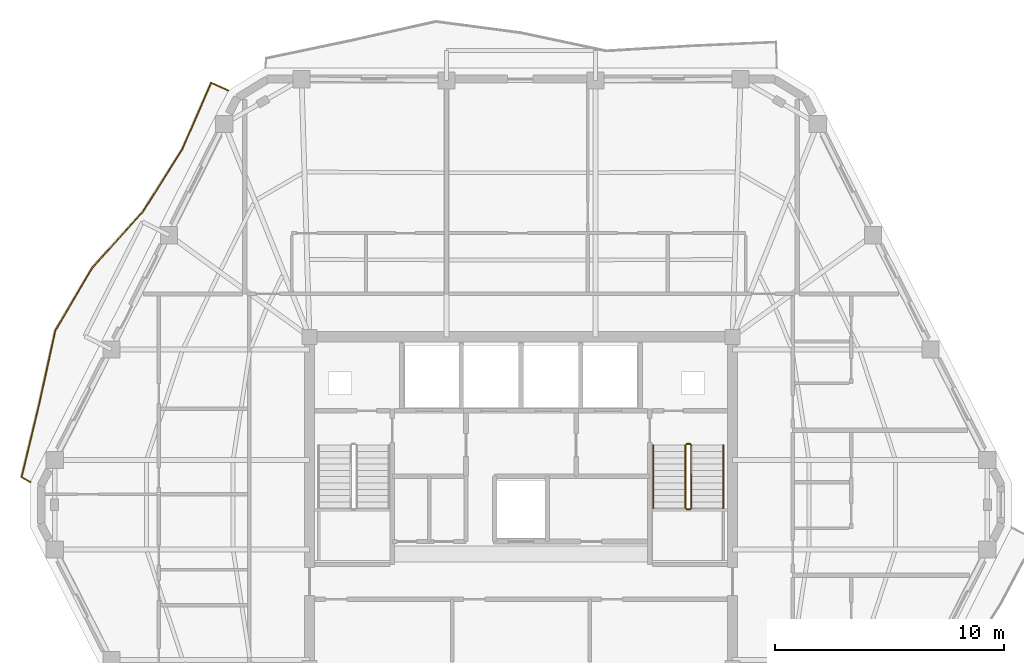
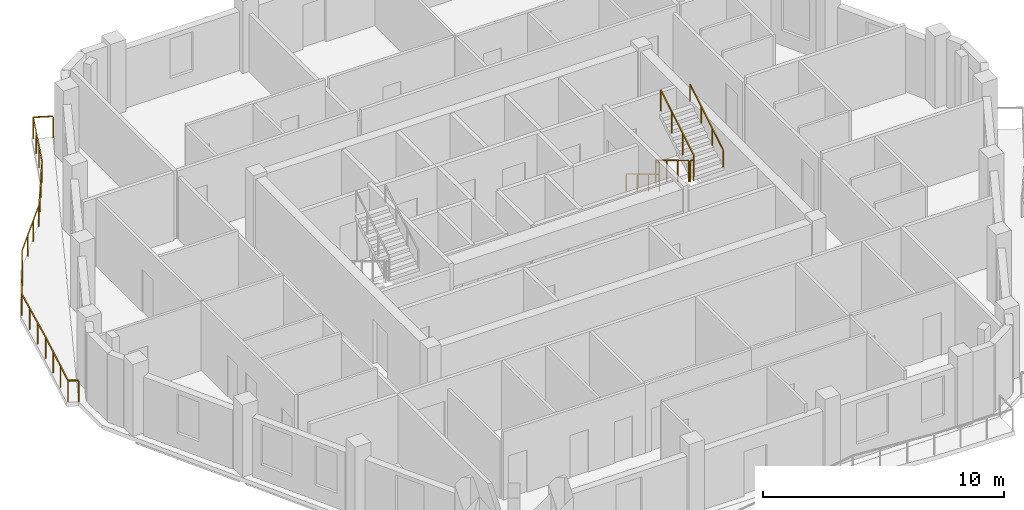
# One storey, part 10 of 11: 7 railings.
"""IFC4 building model written with IfcOpenShell, lengths in metres."""

from ifc_helpers import new_model, si_unit, direction, frame, origin, origin_2d, place, context, subcontext, project, spatial, rectangle, extrude, material, type_object, element, save


model = new_model("IFC4")

# Units and contexts
model_context = context("Model", 3, precision=1e-05, world=origin(), true_north=direction((0.0, 1.0)))
body_context = subcontext(model_context, "Body", "Model", "MODEL_VIEW")
ifc_project = project(units=[si_unit("LENGTHUNIT", "METRE"), si_unit("AREAUNIT", "SQUARE_METRE"), si_unit("VOLUMEUNIT", "CUBIC_METRE"), si_unit("PLANEANGLEUNIT", "RADIAN"), si_unit("MASSUNIT", "GRAM", prefix="KILO")], contexts=[model_context])

# Site, building, storey
site_placement = place(None, origin())
site = spatial("IfcSite", under=ifc_project, at=site_placement, CompositionType="ELEMENT")
building_placement = place(site_placement, origin())
building = spatial("IfcBuilding", under=site, at=building_placement, Name="Cinnabar Lancet Tower", CompositionType="ELEMENT")
storey_placement = place(building_placement, frame((0.0, 0.0, 252.550048828125)))
storey = spatial("IfcBuildingStorey", under=building, at=storey_placement, Name="L67", CompositionType="ELEMENT", Elevation=252.550048828125)

# Railings
ifc_material_1 = material(Name="Laminated safety glass and bronze stainless steel balustrade", Category="steel")
railing_type_1 = type_object("IfcRailingType", Name="ENV-RLG-BAL-1100", PredefinedType="BALUSTRADE", material=ifc_material_1)
railing_1_placement = place(storey_placement, frame((19.638916015625, 43.867919921875, 0.0)))
element("IfcRailing", 1, at=railing_1_placement, inside=storey, type_object=railing_type_1, Name="L67 Face 5 Wave Balcony Balustrade", PredefinedType="BALUSTRADE", context=body_context, shape_type="SweptSolid", body=[
    extrude(rectangle(XDim=0.048095703125, YDim=0.048095703125, at=origin_2d()), frame((0.0, 0.0, 1.076171875), z_axis=(-0.90895271953, 0.416899212831, 0.0), x_axis=(-0.416899212831, -0.90895271953, 0.0)), (0.0, 0.0, 1.0), 0.8251953125),
    extrude(rectangle(XDim=0.048095703125, YDim=0.048095703125, at=origin_2d()), frame((-0.75, 0.343994140625, 1.076171875), z_axis=(-0.398922088554, -0.9169848239, 0.0), x_axis=(0.9169848239, -0.398922088554, 0.0)), (0.0, 0.0, 1.0), 3.1884765625),
    extrude(rectangle(XDim=0.048095703125, YDim=0.048095703125, at=origin_2d()), frame((-2.02197265625, -2.579833984375, 1.076171875), z_axis=(-0.533455406461, -0.845828191371, 0.0), x_axis=(0.845828191371, -0.533455406461, 0.0)), (0.0, 0.0, 1.0), 3.19580078125),
    extrude(rectangle(XDim=0.048095703125, YDim=0.048095703125, at=origin_2d()), frame((-3.726806640625, -5.282958984375, 1.076171875), z_axis=(-0.669917719714, -0.742435349922, 0.0), x_axis=(0.742435349922, -0.669917719714, 0.0)), (0.0, 0.0, 1.0), 3.2958984375),
    extrude(rectangle(XDim=0.048095703125, YDim=0.048095703125, at=origin_2d()), frame((-5.934814453125, -7.72998046875, 1.076171875), z_axis=(-0.507482092898, -0.861662303567, 0.0), x_axis=(0.861662303567, -0.507482092898, 0.0)), (0.0, 0.0, 1.0), 3.186767578125),
    extrude(rectangle(XDim=0.048095703125, YDim=0.048095703125, at=origin_2d()), frame((-7.552001953125, -10.475830078125, 1.076171875), z_axis=(-0.213962838151, -0.976841800851, 0.0), x_axis=(0.976841800851, -0.213962838151, 0.0)), (0.0, 0.0, 1.0), 3.28515625),
    extrude(rectangle(XDim=0.048095703125, YDim=0.048095703125, at=origin_2d()), frame((-8.2548828125, -13.684814453125, 1.076171875), z_axis=(-0.234338790114, -0.972154993531, 0.0), x_axis=(0.972154993531, -0.234338790114, 0.0)), (0.0, 0.0, 1.0), 3.269287109375),
    extrude(rectangle(XDim=0.048095703125, YDim=0.048095703125, at=origin_2d()), frame((-9.02099609375, -16.863037109375, 1.076171875), z_axis=(0.862062615668, -0.506801782424, 0.0), x_axis=(0.506801782424, 0.862062615668, 0.0)), (0.0, 0.0, 1.0), 0.439697265625),
    extrude(rectangle(XDim=0.0419921875, YDim=0.0419921875, at=origin_2d()), origin(), (0.0, 0.0, 1.0), 1.052001953125),
    extrude(rectangle(XDim=0.0419921875, YDim=0.0419921875, at=origin_2d()), frame((-0.75, 0.343994140625, 0.0)), (0.0, 0.0, 1.0), 1.052001953125),
    extrude(rectangle(XDim=0.0419921875, YDim=0.0419921875, at=origin_2d()), frame((-1.174072265625, -0.630615234375, 0.0)), (0.0, 0.0, 1.0), 1.052001953125),
    extrude(rectangle(XDim=0.0419921875, YDim=0.0419921875, at=origin_2d()), frame((-1.597900390625, -1.605224609375, 0.0)), (0.0, 0.0, 1.0), 1.052001953125),
    extrude(rectangle(XDim=0.0419921875, YDim=0.0419921875, at=origin_2d()), frame((-2.02197265625, -2.579833984375, 0.0)), (0.0, 0.0, 1.0), 1.052001953125),
    extrude(rectangle(XDim=0.0419921875, YDim=0.0419921875, at=origin_2d()), frame((-2.59033203125, -3.48095703125, 0.0)), (0.0, 0.0, 1.0), 1.052001953125),
    extrude(rectangle(XDim=0.0419921875, YDim=0.0419921875, at=origin_2d()), frame((-3.158447265625, -4.3818359375, 0.0)), (0.0, 0.0, 1.0), 1.052001953125),
    extrude(rectangle(XDim=0.0419921875, YDim=0.0419921875, at=origin_2d()), frame((-3.726806640625, -5.282958984375, 0.0)), (0.0, 0.0, 1.0), 1.052001953125),
    extrude(rectangle(XDim=0.0419921875, YDim=0.0419921875, at=origin_2d()), frame((-4.462890625, -6.0986328125, 0.0)), (0.0, 0.0, 1.0), 1.052001953125),
    extrude(rectangle(XDim=0.0419921875, YDim=0.0419921875, at=origin_2d()), frame((-5.19873046875, -6.914306640625, 0.0)), (0.0, 0.0, 1.0), 1.052001953125),
    extrude(rectangle(XDim=0.0419921875, YDim=0.0419921875, at=origin_2d()), frame((-5.934814453125, -7.72998046875, 0.0)), (0.0, 0.0, 1.0), 1.052001953125),
    extrude(rectangle(XDim=0.0419921875, YDim=0.0419921875, at=origin_2d()), frame((-6.473876953125, -8.645263671875, 0.0)), (0.0, 0.0, 1.0), 1.052001953125),
    extrude(rectangle(XDim=0.0419921875, YDim=0.0419921875, at=origin_2d()), frame((-7.012939453125, -9.560546875, 0.0)), (0.0, 0.0, 1.0), 1.052001953125),
    extrude(rectangle(XDim=0.0419921875, YDim=0.0419921875, at=origin_2d()), frame((-7.552001953125, -10.475830078125, 0.0)), (0.0, 0.0, 1.0), 1.052001953125),
    extrude(rectangle(XDim=0.0419921875, YDim=0.0419921875, at=origin_2d()), frame((-7.786376953125, -11.54541015625, 0.0)), (0.0, 0.0, 1.0), 1.052001953125),
    extrude(rectangle(XDim=0.0419921875, YDim=0.0419921875, at=origin_2d()), frame((-8.0205078125, -12.615234375, 0.0)), (0.0, 0.0, 1.0), 1.052001953125),
    extrude(rectangle(XDim=0.0419921875, YDim=0.0419921875, at=origin_2d()), frame((-8.2548828125, -13.684814453125, 0.0)), (0.0, 0.0, 1.0), 1.052001953125),
    extrude(rectangle(XDim=0.0419921875, YDim=0.0419921875, at=origin_2d()), frame((-8.51025390625, -14.744140625, 0.0)), (0.0, 0.0, 1.0), 1.052001953125),
    extrude(rectangle(XDim=0.0419921875, YDim=0.0419921875, at=origin_2d()), frame((-8.765625, -15.8037109375, 0.0)), (0.0, 0.0, 1.0), 1.052001953125),
    extrude(rectangle(XDim=0.0419921875, YDim=0.0419921875, at=origin_2d()), frame((-9.02099609375, -16.863037109375, 0.0)), (0.0, 0.0, 1.0), 1.052001953125),
    extrude(rectangle(XDim=0.0419921875, YDim=0.0419921875, at=origin_2d()), frame((-8.641845703125, -17.0859375, 0.0)), (0.0, 0.0, 1.0), 1.052001953125),
])
ifc_material_2 = material(Name="Painted galvanized steel balustrade", Category="steel")
railing_type_2 = type_object("IfcRailingType", Name="GUARD-STAIR", PredefinedType="GUARDRAIL", material=ifc_material_2)
railing_2_placement = place(storey_placement, frame((39.574951171875, 28.39990234375, 0.165771484375)))
element("IfcRailing", 2, at=railing_2_placement, inside=storey, type_object=railing_type_2, Name="L67 ST-2 stair guard 1", PredefinedType="GUARDRAIL", context=body_context, shape_type="SweptSolid", body=[
    extrude(rectangle(XDim=0.048095703125, YDim=0.048095703125, at=origin_2d()), frame((0.0, 0.0, 1.076171875), z_axis=(0.0, -0.856229400918, 0.51659579267), x_axis=(1.0, 0.0, 0.0)), (0.0, 0.0, 1.0), 3.211669921875),
    extrude(rectangle(XDim=0.0419921875, YDim=0.0419921875, at=origin_2d()), origin(), (0.0, 0.0, 1.0), 1.052001953125),
    extrude(rectangle(XDim=0.0419921875, YDim=0.0419921875, at=origin_2d()), frame((0.0, -0.916748046875, 0.552978515625)), (0.0, 0.0, 1.0), 1.052001953125),
    extrude(rectangle(XDim=0.0419921875, YDim=0.0419921875, at=origin_2d()), frame((0.0, -1.833251953125, 1.106201171875)), (0.0, 0.0, 1.0), 1.052001953125),
    extrude(rectangle(XDim=0.0419921875, YDim=0.0419921875, at=origin_2d()), frame((0.0, -2.75, 1.6591796875)), (0.0, 0.0, 1.0), 1.052001953125),
])
railing_3_placement = place(storey_placement, frame((39.625, 25.60009765625, 1.824951171875)))
element("IfcRailing", 3, at=railing_3_placement, inside=storey, type_object=railing_type_2, Name="L67 ST-2 stair guard 2", PredefinedType="GUARDRAIL", context=body_context, shape_type="SweptSolid", body=[
    extrude(rectangle(XDim=0.048095703125, YDim=0.048095703125, at=origin_2d()), frame((0.0, 0.0, 1.076171875), z_axis=(1.0, 0.0, 0.0), x_axis=(0.0, 1.0, 0.0)), (0.0, 0.0, 1.0), 0.14990234375),
    extrude(rectangle(XDim=0.0419921875, YDim=0.0419921875, at=origin_2d()), origin(), (0.0, 0.0, 1.0), 1.052001953125),
    extrude(rectangle(XDim=0.0419921875, YDim=0.0419921875, at=origin_2d()), frame((0.14990234375, 0.0, 0.0)), (0.0, 0.0, 1.0), 1.052001953125),
])
railing_4_placement = place(storey_placement, frame((39.824951171875, 25.64990234375, 1.990966796875)))
element("IfcRailing", 4, at=railing_4_placement, inside=storey, type_object=railing_type_2, Name="L67 ST-2 stair guard 3", PredefinedType="GUARDRAIL", context=body_context, shape_type="SweptSolid", body=[
    extrude(rectangle(XDim=0.048095703125, YDim=0.048095703125, at=origin_2d()), frame((0.0, 0.0, 1.076171875), z_axis=(0.0, 0.856263023582, 0.516540060834), x_axis=(-1.0, 0.0, 0.0)), (0.0, 0.0, 1.0), 3.211669921875),
    extrude(rectangle(XDim=0.0419921875, YDim=0.0419921875, at=origin_2d()), origin(), (0.0, 0.0, 1.0), 1.052001953125),
    extrude(rectangle(XDim=0.0419921875, YDim=0.0419921875, at=origin_2d()), frame((0.0, 0.916748046875, 0.552978515625)), (0.0, 0.0, 1.0), 1.052001953125),
    extrude(rectangle(XDim=0.0419921875, YDim=0.0419921875, at=origin_2d()), frame((0.0, 1.833251953125, 1.10595703125)), (0.0, 0.0, 1.0), 1.052001953125),
    extrude(rectangle(XDim=0.0419921875, YDim=0.0419921875, at=origin_2d()), frame((0.0, 2.75, 1.658935546875)), (0.0, 0.0, 1.0), 1.052001953125),
])
railing_5_placement = place(storey_placement, frame((39.625, 28.449951171875, 0.0)))
element("IfcRailing", 5, at=railing_5_placement, inside=storey, type_object=railing_type_2, Name="L67 ST-2 stair guard 4", PredefinedType="GUARDRAIL", context=body_context, shape_type="SweptSolid", body=[
    extrude(rectangle(XDim=0.048095703125, YDim=0.048095703125, at=origin_2d()), frame((0.0, 0.0, 1.076171875), z_axis=(1.0, 0.0, 0.0), x_axis=(0.0, 1.0, 0.0)), (0.0, 0.0, 1.0), 0.14990234375),
    extrude(rectangle(XDim=0.0419921875, YDim=0.0419921875, at=origin_2d()), origin(), (0.0, 0.0, 1.0), 1.052001953125),
    extrude(rectangle(XDim=0.0419921875, YDim=0.0419921875, at=origin_2d()), frame((0.14990234375, 0.0, 0.0)), (0.0, 0.0, 1.0), 1.052001953125),
])
ifc_material_3 = material(Name="Brushed stainless steel handrail", Category="steel")
railing_type_3 = type_object("IfcRailingType", Name="HANDRAIL-STAIR", PredefinedType="HANDRAIL", material=ifc_material_3)
railing_6_placement = place(storey_placement, frame((38.175048828125, 28.39990234375, 0.165771484375)))
element("IfcRailing", 6, at=railing_6_placement, inside=storey, type_object=railing_type_3, Name="L67 ST-2 stair handrail 1", PredefinedType="HANDRAIL", context=body_context, shape_type="SweptSolid", body=[
    extrude(rectangle(XDim=0.048095703125, YDim=0.048095703125, at=origin_2d()), frame((0.0, 0.0, 0.8759765625), z_axis=(0.0, -0.856229400918, 0.51659579267), x_axis=(1.0, 0.0, 0.0)), (0.0, 0.0, 1.0), 3.211669921875),
    extrude(rectangle(XDim=0.0419921875, YDim=0.0419921875, at=origin_2d()), origin(), (0.0, 0.0, 1.0), 0.851806640625),
    extrude(rectangle(XDim=0.0419921875, YDim=0.0419921875, at=origin_2d()), frame((0.0, -0.916748046875, 0.552978515625)), (0.0, 0.0, 1.0), 0.851806640625),
    extrude(rectangle(XDim=0.0419921875, YDim=0.0419921875, at=origin_2d()), frame((0.0, -1.833251953125, 1.106201171875)), (0.0, 0.0, 1.0), 0.851806640625),
    extrude(rectangle(XDim=0.0419921875, YDim=0.0419921875, at=origin_2d()), frame((0.0, -2.75, 1.6591796875)), (0.0, 0.0, 1.0), 0.851806640625),
])
railing_7_placement = place(storey_placement, frame((41.22509765625, 25.64990234375, 1.990966796875)))
element("IfcRailing", 7, at=railing_7_placement, inside=storey, type_object=railing_type_3, Name="L67 ST-2 stair handrail 2", PredefinedType="HANDRAIL", context=body_context, shape_type="SweptSolid", body=[
    extrude(rectangle(XDim=0.048095703125, YDim=0.048095703125, at=origin_2d()), frame((0.0, 0.0, 0.8759765625), z_axis=(0.0, 0.856263023582, 0.516540060834), x_axis=(-1.0, 0.0, 0.0)), (0.0, 0.0, 1.0), 3.211669921875),
    extrude(rectangle(XDim=0.0419921875, YDim=0.0419921875, at=origin_2d()), origin(), (0.0, 0.0, 1.0), 0.851806640625),
    extrude(rectangle(XDim=0.0419921875, YDim=0.0419921875, at=origin_2d()), frame((0.0, 0.916748046875, 0.552978515625)), (0.0, 0.0, 1.0), 0.851806640625),
    extrude(rectangle(XDim=0.0419921875, YDim=0.0419921875, at=origin_2d()), frame((0.0, 1.833251953125, 1.10595703125)), (0.0, 0.0, 1.0), 0.851806640625),
    extrude(rectangle(XDim=0.0419921875, YDim=0.0419921875, at=origin_2d()), frame((0.0, 2.75, 1.658935546875)), (0.0, 0.0, 1.0), 0.851806640625),
])

save(model, "model.ifc")
